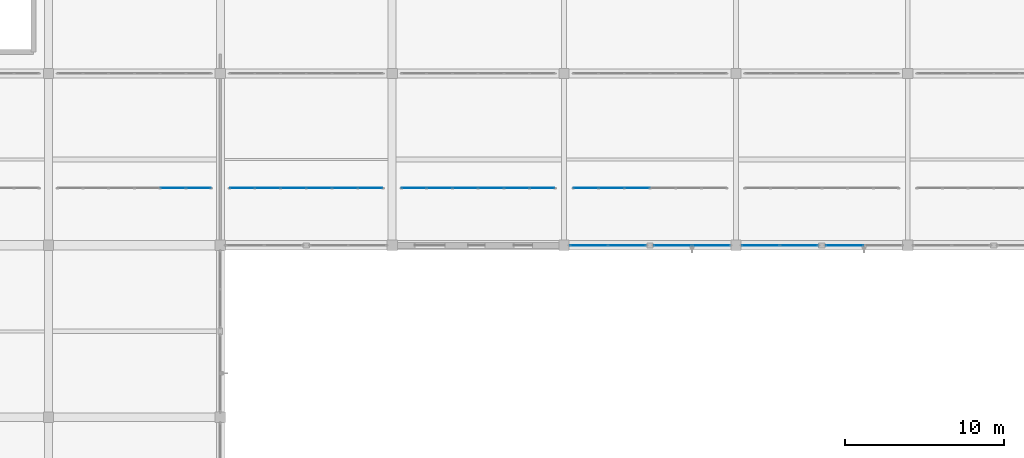
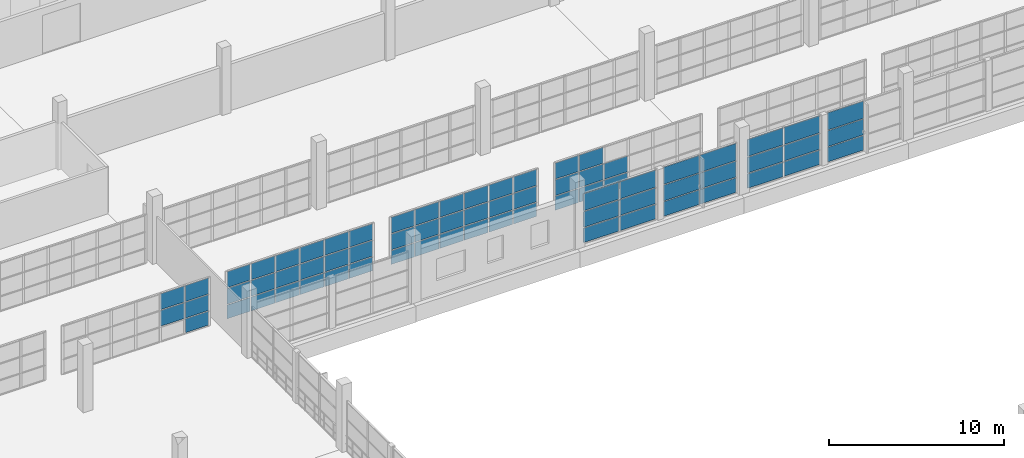
# One storey, part 92 of 142: 70 plates, 8 elements without a shape of their own.
"""IFC4 building model written with IfcOpenShell, lengths in metres."""

from ifc_helpers import new_model, si_unit, direction, frame, origin, origin_2d, place, context, subcontext, project, spatial, rectangle, extrude, material, layer, layer_set, type_object, element, aggregate, save


model = new_model("IFC4")

# Units and contexts
model_context = context("Model", 3, precision=1e-05, world=origin(), true_north=direction((0.0, 1.0)))
body_context = subcontext(model_context, "Body", "Model", "MODEL_VIEW")
ifc_project = project(units=[si_unit("LENGTHUNIT", "METRE"), si_unit("AREAUNIT", "SQUARE_METRE"), si_unit("VOLUMEUNIT", "CUBIC_METRE"), si_unit("PLANEANGLEUNIT", "RADIAN"), si_unit("MASSUNIT", "GRAM", prefix="KILO")], contexts=[model_context])

# Site, building, storey
site_placement = place(None, origin())
site = spatial("IfcSite", under=ifc_project, at=site_placement, CompositionType="ELEMENT")
building_placement = place(site_placement, origin())
building = spatial("IfcBuilding", under=site, at=building_placement, Name="Zwinboog Wholesale Market", CompositionType="ELEMENT")
storey_placement = place(building_placement, frame((0.0, 0.0, 5.39990234375)))
storey = spatial("IfcBuildingStorey", under=building, at=storey_placement, Name="L01", CompositionType="ELEMENT", Elevation=5.39990234375)

# Curtain wall, plates
ifc_material_1 = material(Name="Aluminium thermally broken curtain wall", Category="aluminium")
curtain_wall_type_1 = type_object("IfcCurtainWallType", Name="CWT-CAFE-22", PredefinedType="USERDEFINED", material=ifc_material_1)
curtain_wall_1_placement = place(storey_placement, origin())
curtain_wall_1 = element("IfcCurtainWall", 1, at=curtain_wall_1_placement, inside=storey, type_object=curtain_wall_type_1, Name="CW-05 (CW-L01-107)", ObjectType="STOREFRONT_GLAZING", PredefinedType="USERDEFINED")
ifc_material_2 = material(Name="Triple solar-control insulated glazing", Category="glass")
ifc_layer_1 = layer(ifc_material_2, 0.0380859375)
ifc_layer_set_1 = layer_set([ifc_layer_1], Name="Triple solar-control insulated glazing")
plate_type_1 = type_object("IfcPlateType", Name="CWP-IGU-38", PredefinedType="CURTAIN_PANEL", material=ifc_layer_set_1)
plate_1_placement = place(storey_placement, frame((109.55615234375, 86.39990234375, 0.065185546875), z_axis=(0.0, 0.0, 1.0), x_axis=(1.0, 0.0, 0.0)))
plate_1 = element("IfcPlate", 2, at=plate_1_placement, type_object=plate_type_1, Name="CW-05 panel 1.1", PredefinedType="CURTAIN_PANEL", context=body_context, shape_type="SweptSolid", body=[
    extrude(rectangle(XDim=2.342529296875, YDim=0.0380859375, at=origin_2d()), origin(), (0.0, 0.0, 1.0), 1.00244140625),
])
plate_2_placement = place(storey_placement, frame((109.55615234375, 86.39990234375, 1.132568359375), z_axis=(0.0, 0.0, 1.0), x_axis=(1.0, 0.0, 0.0)))
plate_2 = element("IfcPlate", 3, at=plate_2_placement, type_object=plate_type_1, Name="CW-05 panel 1.2", PredefinedType="CURTAIN_PANEL", context=body_context, shape_type="SweptSolid", body=[
    extrude(rectangle(XDim=2.342529296875, YDim=0.0380859375, at=origin_2d()), origin(), (0.0, 0.0, 1.0), 1.0849609375),
])
plate_3_placement = place(storey_placement, frame((109.55615234375, 86.39990234375, 2.282470703125), z_axis=(0.0, 0.0, 1.0), x_axis=(1.0, 0.0, 0.0)))
plate_3 = element("IfcPlate", 4, at=plate_3_placement, type_object=plate_type_1, Name="CW-05 panel 1.3", PredefinedType="CURTAIN_PANEL", context=body_context, shape_type="SweptSolid", body=[
    extrude(rectangle(XDim=2.342529296875, YDim=0.0380859375, at=origin_2d()), origin(), (0.0, 0.0, 1.0), 1.1826171875),
])
plate_4_placement = place(storey_placement, frame((111.9638671875, 86.39990234375, 0.065185546875), z_axis=(0.0, 0.0, 1.0), x_axis=(1.0, 0.0, 0.0)))
plate_4 = element("IfcPlate", 5, at=plate_4_placement, type_object=plate_type_1, Name="CW-05 panel 2.1", PredefinedType="CURTAIN_PANEL", context=body_context, shape_type="SweptSolid", body=[
    extrude(rectangle(XDim=2.342529296875, YDim=0.0380859375, at=origin_2d()), origin(), (0.0, 0.0, 1.0), 1.00244140625),
])
plate_5_placement = place(storey_placement, frame((111.9638671875, 86.39990234375, 1.132568359375), z_axis=(0.0, 0.0, 1.0), x_axis=(1.0, 0.0, 0.0)))
plate_5 = element("IfcPlate", 6, at=plate_5_placement, type_object=plate_type_1, Name="CW-05 panel 2.2", PredefinedType="CURTAIN_PANEL", context=body_context, shape_type="SweptSolid", body=[
    extrude(rectangle(XDim=2.342529296875, YDim=0.0380859375, at=origin_2d()), origin(), (0.0, 0.0, 1.0), 1.0849609375),
])
plate_6_placement = place(storey_placement, frame((111.9638671875, 86.39990234375, 2.282470703125), z_axis=(0.0, 0.0, 1.0), x_axis=(1.0, 0.0, 0.0)))
plate_6 = element("IfcPlate", 7, at=plate_6_placement, type_object=plate_type_1, Name="CW-05 panel 2.3", PredefinedType="CURTAIN_PANEL", context=body_context, shape_type="SweptSolid", body=[
    extrude(rectangle(XDim=2.342529296875, YDim=0.0380859375, at=origin_2d()), origin(), (0.0, 0.0, 1.0), 1.1826171875),
])
aggregate(curtain_wall_1, [plate_1, plate_2, plate_3, plate_4, plate_5, plate_6])

curtain_wall_type_2 = type_object("IfcCurtainWallType", Name="CWT-OFF-15", PredefinedType="USERDEFINED", material=ifc_material_1)
curtain_wall_2_placement = place(storey_placement, origin())
curtain_wall_2 = element("IfcCurtainWall", 8, at=curtain_wall_2_placement, inside=storey, type_object=curtain_wall_type_2, Name="CW-06 (CW-L01-108)", ObjectType="UNITIZED_CURTAIN_WALL", PredefinedType="USERDEFINED")
plate_7_placement = place(storey_placement, frame((114.8349609375, 86.39990234375, 0.06005859375), z_axis=(0.0, 0.0, 1.0), x_axis=(1.0, 0.0, 0.0)))
plate_7 = element("IfcPlate", 9, at=plate_7_placement, type_object=plate_type_1, Name="CW-06 panel 1.1", PredefinedType="CURTAIN_PANEL", context=body_context, shape_type="SweptSolid", body=[
    extrude(rectangle(XDim=2.35009765625, YDim=0.0380859375, at=origin_2d()), origin(), (0.0, 0.0, 1.0), 1.010009765625),
])
plate_8_placement = place(storey_placement, frame((114.8349609375, 86.39990234375, 1.1298828125), z_axis=(0.0, 0.0, 1.0), x_axis=(1.0, 0.0, 0.0)))
plate_8 = element("IfcPlate", 10, at=plate_8_placement, type_object=plate_type_1, Name="CW-06 panel 1.2", PredefinedType="CURTAIN_PANEL", context=body_context, shape_type="SweptSolid", body=[
    extrude(rectangle(XDim=2.35009765625, YDim=0.0380859375, at=origin_2d()), origin(), (0.0, 0.0, 1.0), 1.090087890625),
])
plate_9_placement = place(storey_placement, frame((114.8349609375, 86.39990234375, 2.280029296875), z_axis=(0.0, 0.0, 1.0), x_axis=(1.0, 0.0, 0.0)))
plate_9 = element("IfcPlate", 11, at=plate_9_placement, type_object=plate_type_1, Name="CW-06 panel 1.3", PredefinedType="CURTAIN_PANEL", context=body_context, shape_type="SweptSolid", body=[
    extrude(rectangle(XDim=2.35009765625, YDim=0.0380859375, at=origin_2d()), origin(), (0.0, 0.0, 1.0), 1.18994140625),
])
plate_10_placement = place(storey_placement, frame((117.2451171875, 86.39990234375, 0.06005859375), z_axis=(0.0, 0.0, 1.0), x_axis=(1.0, 0.0, 0.0)))
plate_10 = element("IfcPlate", 12, at=plate_10_placement, type_object=plate_type_1, Name="CW-06 panel 2.1", PredefinedType="CURTAIN_PANEL", context=body_context, shape_type="SweptSolid", body=[
    extrude(rectangle(XDim=2.35009765625, YDim=0.0380859375, at=origin_2d()), origin(), (0.0, 0.0, 1.0), 1.010009765625),
])
plate_11_placement = place(storey_placement, frame((117.2451171875, 86.39990234375, 1.1298828125), z_axis=(0.0, 0.0, 1.0), x_axis=(1.0, 0.0, 0.0)))
plate_11 = element("IfcPlate", 13, at=plate_11_placement, type_object=plate_type_1, Name="CW-06 panel 2.2", PredefinedType="CURTAIN_PANEL", context=body_context, shape_type="SweptSolid", body=[
    extrude(rectangle(XDim=2.35009765625, YDim=0.0380859375, at=origin_2d()), origin(), (0.0, 0.0, 1.0), 1.090087890625),
])
plate_12_placement = place(storey_placement, frame((117.2451171875, 86.39990234375, 2.280029296875), z_axis=(0.0, 0.0, 1.0), x_axis=(1.0, 0.0, 0.0)))
plate_12 = element("IfcPlate", 14, at=plate_12_placement, type_object=plate_type_1, Name="CW-06 panel 2.3", PredefinedType="CURTAIN_PANEL", context=body_context, shape_type="SweptSolid", body=[
    extrude(rectangle(XDim=2.35009765625, YDim=0.0380859375, at=origin_2d()), origin(), (0.0, 0.0, 1.0), 1.18994140625),
])
aggregate(curtain_wall_2, [plate_7, plate_8, plate_9, plate_10, plate_11, plate_12])

curtain_wall_3_placement = place(storey_placement, origin())
curtain_wall_3 = element("IfcCurtainWall", 15, at=curtain_wall_3_placement, inside=storey, type_object=curtain_wall_type_1, Name="CW-05 (CW-L01-113)", ObjectType="STOREFRONT_GLAZING", PredefinedType="USERDEFINED")
plate_13_placement = place(storey_placement, frame((120.356201171875, 86.39990234375, 0.065185546875), z_axis=(0.0, 0.0, 1.0), x_axis=(1.0, 0.0, 0.0)))
plate_13 = element("IfcPlate", 16, at=plate_13_placement, type_object=plate_type_1, Name="CW-05 panel 1.1", PredefinedType="CURTAIN_PANEL", context=body_context, shape_type="SweptSolid", body=[
    extrude(rectangle(XDim=2.342529296875, YDim=0.0380859375, at=origin_2d()), origin(), (0.0, 0.0, 1.0), 1.00244140625),
])
plate_14_placement = place(storey_placement, frame((120.356201171875, 86.39990234375, 1.132568359375), z_axis=(0.0, 0.0, 1.0), x_axis=(1.0, 0.0, 0.0)))
plate_14 = element("IfcPlate", 17, at=plate_14_placement, type_object=plate_type_1, Name="CW-05 panel 1.2", PredefinedType="CURTAIN_PANEL", context=body_context, shape_type="SweptSolid", body=[
    extrude(rectangle(XDim=2.342529296875, YDim=0.0380859375, at=origin_2d()), origin(), (0.0, 0.0, 1.0), 1.0849609375),
])
plate_15_placement = place(storey_placement, frame((120.356201171875, 86.39990234375, 2.282470703125), z_axis=(0.0, 0.0, 1.0), x_axis=(1.0, 0.0, 0.0)))
plate_15 = element("IfcPlate", 18, at=plate_15_placement, type_object=plate_type_1, Name="CW-05 panel 1.3", PredefinedType="CURTAIN_PANEL", context=body_context, shape_type="SweptSolid", body=[
    extrude(rectangle(XDim=2.342529296875, YDim=0.0380859375, at=origin_2d()), origin(), (0.0, 0.0, 1.0), 1.1826171875),
])
plate_16_placement = place(storey_placement, frame((122.763671875, 86.39990234375, 0.065185546875), z_axis=(0.0, 0.0, 1.0), x_axis=(1.0, 0.0, 0.0)))
plate_16 = element("IfcPlate", 19, at=plate_16_placement, type_object=plate_type_1, Name="CW-05 panel 2.1", PredefinedType="CURTAIN_PANEL", context=body_context, shape_type="SweptSolid", body=[
    extrude(rectangle(XDim=2.342529296875, YDim=0.0380859375, at=origin_2d()), origin(), (0.0, 0.0, 1.0), 1.00244140625),
])
plate_17_placement = place(storey_placement, frame((122.763671875, 86.39990234375, 1.132568359375), z_axis=(0.0, 0.0, 1.0), x_axis=(1.0, 0.0, 0.0)))
plate_17 = element("IfcPlate", 20, at=plate_17_placement, type_object=plate_type_1, Name="CW-05 panel 2.2", PredefinedType="CURTAIN_PANEL", context=body_context, shape_type="SweptSolid", body=[
    extrude(rectangle(XDim=2.342529296875, YDim=0.0380859375, at=origin_2d()), origin(), (0.0, 0.0, 1.0), 1.0849609375),
])
plate_18_placement = place(storey_placement, frame((122.763671875, 86.39990234375, 2.282470703125), z_axis=(0.0, 0.0, 1.0), x_axis=(1.0, 0.0, 0.0)))
plate_18 = element("IfcPlate", 21, at=plate_18_placement, type_object=plate_type_1, Name="CW-05 panel 2.3", PredefinedType="CURTAIN_PANEL", context=body_context, shape_type="SweptSolid", body=[
    extrude(rectangle(XDim=2.342529296875, YDim=0.0380859375, at=origin_2d()), origin(), (0.0, 0.0, 1.0), 1.1826171875),
])
aggregate(curtain_wall_3, [plate_13, plate_14, plate_15, plate_16, plate_17, plate_18])

curtain_wall_4_placement = place(storey_placement, origin())
curtain_wall_4 = element("IfcCurtainWall", 22, at=curtain_wall_4_placement, inside=storey, type_object=curtain_wall_type_2, Name="CW-06 (CW-L01-114)", ObjectType="UNITIZED_CURTAIN_WALL", PredefinedType="USERDEFINED")
plate_19_placement = place(storey_placement, frame((125.635009765625, 86.39990234375, 0.06005859375), z_axis=(0.0, 0.0, 1.0), x_axis=(1.0, 0.0, 0.0)))
plate_19 = element("IfcPlate", 23, at=plate_19_placement, type_object=plate_type_1, Name="CW-06 panel 1.1", PredefinedType="CURTAIN_PANEL", context=body_context, shape_type="SweptSolid", body=[
    extrude(rectangle(XDim=2.35009765625, YDim=0.0380859375, at=origin_2d()), origin(), (0.0, 0.0, 1.0), 1.010009765625),
])
plate_20_placement = place(storey_placement, frame((125.635009765625, 86.39990234375, 1.1298828125), z_axis=(0.0, 0.0, 1.0), x_axis=(1.0, 0.0, 0.0)))
plate_20 = element("IfcPlate", 24, at=plate_20_placement, type_object=plate_type_1, Name="CW-06 panel 1.2", PredefinedType="CURTAIN_PANEL", context=body_context, shape_type="SweptSolid", body=[
    extrude(rectangle(XDim=2.35009765625, YDim=0.0380859375, at=origin_2d()), origin(), (0.0, 0.0, 1.0), 1.090087890625),
])
plate_21_placement = place(storey_placement, frame((125.635009765625, 86.39990234375, 2.280029296875), z_axis=(0.0, 0.0, 1.0), x_axis=(1.0, 0.0, 0.0)))
plate_21 = element("IfcPlate", 25, at=plate_21_placement, type_object=plate_type_1, Name="CW-06 panel 1.3", PredefinedType="CURTAIN_PANEL", context=body_context, shape_type="SweptSolid", body=[
    extrude(rectangle(XDim=2.35009765625, YDim=0.0380859375, at=origin_2d()), origin(), (0.0, 0.0, 1.0), 1.18994140625),
])
aggregate(curtain_wall_4, [plate_19, plate_20, plate_21])

curtain_wall_type_3 = type_object("IfcCurtainWallType", Name="CWT-INT-STALL", PredefinedType="USERDEFINED", material=ifc_material_1)
curtain_wall_5_placement = place(storey_placement, origin())
curtain_wall_5 = element("IfcCurtainWall", 26, at=curtain_wall_5_placement, inside=storey, type_object=curtain_wall_type_3, Name="CW-07 (CW-STL-236)", ObjectType="STOREFRONT_GLAZING", PredefinedType="USERDEFINED")
ifc_material_3 = material(Name="Tempered laminated market stall glazing", Category="glass")
ifc_layer_2 = layer(ifc_material_3, 0.01611328125)
ifc_layer_set_2 = layer_set([ifc_layer_2], Name="Tempered laminated market stall glazing")
plate_type_2 = type_object("IfcPlateType", Name="CWP-INT-16", PredefinedType="CURTAIN_PANEL", material=ifc_layer_set_2)
plate_22_placement = place(storey_placement, frame((83.425048828125, 90.0, 1.080078125), z_axis=(0.0, 0.0, 1.0), x_axis=(1.0, 0.0, 0.0)))
plate_22 = element("IfcPlate", 27, at=plate_22_placement, type_object=plate_type_2, Name="CW-07 panel 5.2", PredefinedType="CURTAIN_PANEL", context=body_context, shape_type="SweptSolid", body=[
    extrude(rectangle(XDim=1.556640625, YDim=0.01611328125, at=origin_2d()), origin(), (0.0, 0.0, 1.0), 1.090087890625),
])
plate_23_placement = place(storey_placement, frame((83.425048828125, 90.0, 2.22998046875), z_axis=(0.0, 0.0, 1.0), x_axis=(1.0, 0.0, 0.0)))
plate_23 = element("IfcPlate", 28, at=plate_23_placement, type_object=plate_type_2, Name="CW-07 panel 5.3", PredefinedType="CURTAIN_PANEL", context=body_context, shape_type="SweptSolid", body=[
    extrude(rectangle(XDim=1.556640625, YDim=0.01611328125, at=origin_2d()), origin(), (0.0, 0.0, 1.0), 1.110107421875),
])
plate_24_placement = place(storey_placement, frame((85.026611328125, 90.0, 0.06005859375), z_axis=(0.0, 0.0, 1.0), x_axis=(1.0, 0.0, 0.0)))
plate_24 = element("IfcPlate", 29, at=plate_24_placement, type_object=plate_type_2, Name="CW-07 panel 6.1", PredefinedType="CURTAIN_PANEL", context=body_context, shape_type="SweptSolid", body=[
    extrude(rectangle(XDim=1.526611328125, YDim=0.01611328125, at=origin_2d()), origin(), (0.0, 0.0, 1.0), 0.9599609375),
])
plate_25_placement = place(storey_placement, frame((85.026611328125, 90.0, 1.080078125), z_axis=(0.0, 0.0, 1.0), x_axis=(1.0, 0.0, 0.0)))
plate_25 = element("IfcPlate", 30, at=plate_25_placement, type_object=plate_type_2, Name="CW-07 panel 6.2", PredefinedType="CURTAIN_PANEL", context=body_context, shape_type="SweptSolid", body=[
    extrude(rectangle(XDim=1.526611328125, YDim=0.01611328125, at=origin_2d()), origin(), (0.0, 0.0, 1.0), 1.090087890625),
])
plate_26_placement = place(storey_placement, frame((85.026611328125, 90.0, 2.22998046875), z_axis=(0.0, 0.0, 1.0), x_axis=(1.0, 0.0, 0.0)))
plate_26 = element("IfcPlate", 31, at=plate_26_placement, type_object=plate_type_2, Name="CW-07 panel 6.3", PredefinedType="CURTAIN_PANEL", context=body_context, shape_type="SweptSolid", body=[
    extrude(rectangle(XDim=1.526611328125, YDim=0.01611328125, at=origin_2d()), origin(), (0.0, 0.0, 1.0), 1.110107421875),
])
aggregate(curtain_wall_5, [plate_22, plate_23, plate_24, plate_25, plate_26])

curtain_wall_6_placement = place(storey_placement, origin())
curtain_wall_6 = element("IfcCurtainWall", 32, at=curtain_wall_6_placement, inside=storey, type_object=curtain_wall_type_3, Name="CW-07 (CW-STL-237)", ObjectType="STOREFRONT_GLAZING", PredefinedType="USERDEFINED")
plate_27_placement = place(storey_placement, frame((87.7734375, 90.0, 0.06005859375), z_axis=(0.0, 0.0, 1.0), x_axis=(1.0, 0.0, 0.0)))
plate_27 = element("IfcPlate", 33, at=plate_27_placement, type_object=plate_type_2, Name="CW-07 panel 1.1", PredefinedType="CURTAIN_PANEL", context=body_context, shape_type="SweptSolid", body=[
    extrude(rectangle(XDim=1.526611328125, YDim=0.01611328125, at=origin_2d()), origin(), (0.0, 0.0, 1.0), 0.9599609375),
])
plate_28_placement = place(storey_placement, frame((87.7734375, 90.0, 1.080078125), z_axis=(0.0, 0.0, 1.0), x_axis=(1.0, 0.0, 0.0)))
plate_28 = element("IfcPlate", 34, at=plate_28_placement, type_object=plate_type_2, Name="CW-07 panel 1.2", PredefinedType="CURTAIN_PANEL", context=body_context, shape_type="SweptSolid", body=[
    extrude(rectangle(XDim=1.526611328125, YDim=0.01611328125, at=origin_2d()), origin(), (0.0, 0.0, 1.0), 1.090087890625),
])
plate_29_placement = place(storey_placement, frame((87.7734375, 90.0, 2.22998046875), z_axis=(0.0, 0.0, 1.0), x_axis=(1.0, 0.0, 0.0)))
plate_29 = element("IfcPlate", 35, at=plate_29_placement, type_object=plate_type_2, Name="CW-07 panel 1.3", PredefinedType="CURTAIN_PANEL", context=body_context, shape_type="SweptSolid", body=[
    extrude(rectangle(XDim=1.526611328125, YDim=0.01611328125, at=origin_2d()), origin(), (0.0, 0.0, 1.0), 1.110107421875),
])
plate_30_placement = place(storey_placement, frame((89.375, 90.0, 0.06005859375), z_axis=(0.0, 0.0, 1.0), x_axis=(1.0, 0.0, 0.0)))
plate_30 = element("IfcPlate", 36, at=plate_30_placement, type_object=plate_type_2, Name="CW-07 panel 2.1", PredefinedType="CURTAIN_PANEL", context=body_context, shape_type="SweptSolid", body=[
    extrude(rectangle(XDim=1.556640625, YDim=0.01611328125, at=origin_2d()), origin(), (0.0, 0.0, 1.0), 0.9599609375),
])
plate_31_placement = place(storey_placement, frame((89.375, 90.0, 1.080078125), z_axis=(0.0, 0.0, 1.0), x_axis=(1.0, 0.0, 0.0)))
plate_31 = element("IfcPlate", 37, at=plate_31_placement, type_object=plate_type_2, Name="CW-07 panel 2.2", PredefinedType="CURTAIN_PANEL", context=body_context, shape_type="SweptSolid", body=[
    extrude(rectangle(XDim=1.556640625, YDim=0.01611328125, at=origin_2d()), origin(), (0.0, 0.0, 1.0), 1.090087890625),
])
plate_32_placement = place(storey_placement, frame((89.375, 90.0, 2.22998046875), z_axis=(0.0, 0.0, 1.0), x_axis=(1.0, 0.0, 0.0)))
plate_32 = element("IfcPlate", 38, at=plate_32_placement, type_object=plate_type_2, Name="CW-07 panel 2.3", PredefinedType="CURTAIN_PANEL", context=body_context, shape_type="SweptSolid", body=[
    extrude(rectangle(XDim=1.556640625, YDim=0.01611328125, at=origin_2d()), origin(), (0.0, 0.0, 1.0), 1.110107421875),
])
plate_33_placement = place(storey_placement, frame((90.99169921875, 90.0, 0.06005859375), z_axis=(0.0, 0.0, 1.0), x_axis=(1.0, 0.0, 0.0)))
plate_33 = element("IfcPlate", 39, at=plate_33_placement, type_object=plate_type_2, Name="CW-07 panel 3.1", PredefinedType="CURTAIN_PANEL", context=body_context, shape_type="SweptSolid", body=[
    extrude(rectangle(XDim=1.556640625, YDim=0.01611328125, at=origin_2d()), origin(), (0.0, 0.0, 1.0), 0.9599609375),
])
plate_34_placement = place(storey_placement, frame((90.99169921875, 90.0, 1.080078125), z_axis=(0.0, 0.0, 1.0), x_axis=(1.0, 0.0, 0.0)))
plate_34 = element("IfcPlate", 40, at=plate_34_placement, type_object=plate_type_2, Name="CW-07 panel 3.2", PredefinedType="CURTAIN_PANEL", context=body_context, shape_type="SweptSolid", body=[
    extrude(rectangle(XDim=1.556640625, YDim=0.01611328125, at=origin_2d()), origin(), (0.0, 0.0, 1.0), 1.090087890625),
])
plate_35_placement = place(storey_placement, frame((90.99169921875, 90.0, 2.22998046875), z_axis=(0.0, 0.0, 1.0), x_axis=(1.0, 0.0, 0.0)))
plate_35 = element("IfcPlate", 41, at=plate_35_placement, type_object=plate_type_2, Name="CW-07 panel 3.3", PredefinedType="CURTAIN_PANEL", context=body_context, shape_type="SweptSolid", body=[
    extrude(rectangle(XDim=1.556640625, YDim=0.01611328125, at=origin_2d()), origin(), (0.0, 0.0, 1.0), 1.110107421875),
])
plate_36_placement = place(storey_placement, frame((92.6083984375, 90.0, 0.06005859375), z_axis=(0.0, 0.0, 1.0), x_axis=(1.0, 0.0, 0.0)))
plate_36 = element("IfcPlate", 42, at=plate_36_placement, type_object=plate_type_2, Name="CW-07 panel 4.1", PredefinedType="CURTAIN_PANEL", context=body_context, shape_type="SweptSolid", body=[
    extrude(rectangle(XDim=1.556640625, YDim=0.01611328125, at=origin_2d()), origin(), (0.0, 0.0, 1.0), 0.9599609375),
])
plate_37_placement = place(storey_placement, frame((92.6083984375, 90.0, 1.080078125), z_axis=(0.0, 0.0, 1.0), x_axis=(1.0, 0.0, 0.0)))
plate_37 = element("IfcPlate", 43, at=plate_37_placement, type_object=plate_type_2, Name="CW-07 panel 4.2", PredefinedType="CURTAIN_PANEL", context=body_context, shape_type="SweptSolid", body=[
    extrude(rectangle(XDim=1.556640625, YDim=0.01611328125, at=origin_2d()), origin(), (0.0, 0.0, 1.0), 1.090087890625),
])
plate_38_placement = place(storey_placement, frame((92.6083984375, 90.0, 2.22998046875), z_axis=(0.0, 0.0, 1.0), x_axis=(1.0, 0.0, 0.0)))
plate_38 = element("IfcPlate", 44, at=plate_38_placement, type_object=plate_type_2, Name="CW-07 panel 4.3", PredefinedType="CURTAIN_PANEL", context=body_context, shape_type="SweptSolid", body=[
    extrude(rectangle(XDim=1.556640625, YDim=0.01611328125, at=origin_2d()), origin(), (0.0, 0.0, 1.0), 1.110107421875),
])
plate_39_placement = place(storey_placement, frame((94.22509765625, 90.0, 0.06005859375), z_axis=(0.0, 0.0, 1.0), x_axis=(1.0, 0.0, 0.0)))
plate_39 = element("IfcPlate", 45, at=plate_39_placement, type_object=plate_type_2, Name="CW-07 panel 5.1", PredefinedType="CURTAIN_PANEL", context=body_context, shape_type="SweptSolid", body=[
    extrude(rectangle(XDim=1.556640625, YDim=0.01611328125, at=origin_2d()), origin(), (0.0, 0.0, 1.0), 0.9599609375),
])
plate_40_placement = place(storey_placement, frame((94.22509765625, 90.0, 1.080078125), z_axis=(0.0, 0.0, 1.0), x_axis=(1.0, 0.0, 0.0)))
plate_40 = element("IfcPlate", 46, at=plate_40_placement, type_object=plate_type_2, Name="CW-07 panel 5.2", PredefinedType="CURTAIN_PANEL", context=body_context, shape_type="SweptSolid", body=[
    extrude(rectangle(XDim=1.556640625, YDim=0.01611328125, at=origin_2d()), origin(), (0.0, 0.0, 1.0), 1.090087890625),
])
plate_41_placement = place(storey_placement, frame((94.22509765625, 90.0, 2.22998046875), z_axis=(0.0, 0.0, 1.0), x_axis=(1.0, 0.0, 0.0)))
plate_41 = element("IfcPlate", 47, at=plate_41_placement, type_object=plate_type_2, Name="CW-07 panel 5.3", PredefinedType="CURTAIN_PANEL", context=body_context, shape_type="SweptSolid", body=[
    extrude(rectangle(XDim=1.556640625, YDim=0.01611328125, at=origin_2d()), origin(), (0.0, 0.0, 1.0), 1.110107421875),
])
plate_42_placement = place(storey_placement, frame((95.82666015625, 90.0, 0.06005859375), z_axis=(0.0, 0.0, 1.0), x_axis=(1.0, 0.0, 0.0)))
plate_42 = element("IfcPlate", 48, at=plate_42_placement, type_object=plate_type_2, Name="CW-07 panel 6.1", PredefinedType="CURTAIN_PANEL", context=body_context, shape_type="SweptSolid", body=[
    extrude(rectangle(XDim=1.526611328125, YDim=0.01611328125, at=origin_2d()), origin(), (0.0, 0.0, 1.0), 0.9599609375),
])
plate_43_placement = place(storey_placement, frame((95.82666015625, 90.0, 1.080078125), z_axis=(0.0, 0.0, 1.0), x_axis=(1.0, 0.0, 0.0)))
plate_43 = element("IfcPlate", 49, at=plate_43_placement, type_object=plate_type_2, Name="CW-07 panel 6.2", PredefinedType="CURTAIN_PANEL", context=body_context, shape_type="SweptSolid", body=[
    extrude(rectangle(XDim=1.526611328125, YDim=0.01611328125, at=origin_2d()), origin(), (0.0, 0.0, 1.0), 1.090087890625),
])
plate_44_placement = place(storey_placement, frame((95.82666015625, 90.0, 2.22998046875), z_axis=(0.0, 0.0, 1.0), x_axis=(1.0, 0.0, 0.0)))
plate_44 = element("IfcPlate", 50, at=plate_44_placement, type_object=plate_type_2, Name="CW-07 panel 6.3", PredefinedType="CURTAIN_PANEL", context=body_context, shape_type="SweptSolid", body=[
    extrude(rectangle(XDim=1.526611328125, YDim=0.01611328125, at=origin_2d()), origin(), (0.0, 0.0, 1.0), 1.110107421875),
])
aggregate(curtain_wall_6, [plate_27, plate_28, plate_29, plate_30, plate_31, plate_32, plate_33, plate_34, plate_35, plate_36, plate_37, plate_38, plate_39, plate_40, plate_41, plate_42, plate_43, plate_44])

curtain_wall_7_placement = place(storey_placement, origin())
curtain_wall_7 = element("IfcCurtainWall", 51, at=curtain_wall_7_placement, inside=storey, type_object=curtain_wall_type_3, Name="CW-07 (CW-STL-238)", ObjectType="STOREFRONT_GLAZING", PredefinedType="USERDEFINED")
plate_45_placement = place(storey_placement, frame((98.5732421875, 90.0, 0.06005859375), z_axis=(0.0, 0.0, 1.0), x_axis=(1.0, 0.0, 0.0)))
plate_45 = element("IfcPlate", 52, at=plate_45_placement, type_object=plate_type_2, Name="CW-07 panel 1.1", PredefinedType="CURTAIN_PANEL", context=body_context, shape_type="SweptSolid", body=[
    extrude(rectangle(XDim=1.526611328125, YDim=0.01611328125, at=origin_2d()), origin(), (0.0, 0.0, 1.0), 0.9599609375),
])
plate_46_placement = place(storey_placement, frame((98.5732421875, 90.0, 1.080078125), z_axis=(0.0, 0.0, 1.0), x_axis=(1.0, 0.0, 0.0)))
plate_46 = element("IfcPlate", 53, at=plate_46_placement, type_object=plate_type_2, Name="CW-07 panel 1.2", PredefinedType="CURTAIN_PANEL", context=body_context, shape_type="SweptSolid", body=[
    extrude(rectangle(XDim=1.526611328125, YDim=0.01611328125, at=origin_2d()), origin(), (0.0, 0.0, 1.0), 1.090087890625),
])
plate_47_placement = place(storey_placement, frame((98.5732421875, 90.0, 2.22998046875), z_axis=(0.0, 0.0, 1.0), x_axis=(1.0, 0.0, 0.0)))
plate_47 = element("IfcPlate", 54, at=plate_47_placement, type_object=plate_type_2, Name="CW-07 panel 1.3", PredefinedType="CURTAIN_PANEL", context=body_context, shape_type="SweptSolid", body=[
    extrude(rectangle(XDim=1.526611328125, YDim=0.01611328125, at=origin_2d()), origin(), (0.0, 0.0, 1.0), 1.110107421875),
])
plate_48_placement = place(storey_placement, frame((100.175048828125, 90.0, 0.06005859375), z_axis=(0.0, 0.0, 1.0), x_axis=(1.0, 0.0, 0.0)))
plate_48 = element("IfcPlate", 55, at=plate_48_placement, type_object=plate_type_2, Name="CW-07 panel 2.1", PredefinedType="CURTAIN_PANEL", context=body_context, shape_type="SweptSolid", body=[
    extrude(rectangle(XDim=1.556640625, YDim=0.01611328125, at=origin_2d()), origin(), (0.0, 0.0, 1.0), 0.9599609375),
])
plate_49_placement = place(storey_placement, frame((100.175048828125, 90.0, 1.080078125), z_axis=(0.0, 0.0, 1.0), x_axis=(1.0, 0.0, 0.0)))
plate_49 = element("IfcPlate", 56, at=plate_49_placement, type_object=plate_type_2, Name="CW-07 panel 2.2", PredefinedType="CURTAIN_PANEL", context=body_context, shape_type="SweptSolid", body=[
    extrude(rectangle(XDim=1.556640625, YDim=0.01611328125, at=origin_2d()), origin(), (0.0, 0.0, 1.0), 1.090087890625),
])
plate_50_placement = place(storey_placement, frame((100.175048828125, 90.0, 2.22998046875), z_axis=(0.0, 0.0, 1.0), x_axis=(1.0, 0.0, 0.0)))
plate_50 = element("IfcPlate", 57, at=plate_50_placement, type_object=plate_type_2, Name="CW-07 panel 2.3", PredefinedType="CURTAIN_PANEL", context=body_context, shape_type="SweptSolid", body=[
    extrude(rectangle(XDim=1.556640625, YDim=0.01611328125, at=origin_2d()), origin(), (0.0, 0.0, 1.0), 1.110107421875),
])
plate_51_placement = place(storey_placement, frame((101.791748046875, 90.0, 0.06005859375), z_axis=(0.0, 0.0, 1.0), x_axis=(1.0, 0.0, 0.0)))
plate_51 = element("IfcPlate", 58, at=plate_51_placement, type_object=plate_type_2, Name="CW-07 panel 3.1", PredefinedType="CURTAIN_PANEL", context=body_context, shape_type="SweptSolid", body=[
    extrude(rectangle(XDim=1.556640625, YDim=0.01611328125, at=origin_2d()), origin(), (0.0, 0.0, 1.0), 0.9599609375),
])
plate_52_placement = place(storey_placement, frame((101.791748046875, 90.0, 1.080078125), z_axis=(0.0, 0.0, 1.0), x_axis=(1.0, 0.0, 0.0)))
plate_52 = element("IfcPlate", 59, at=plate_52_placement, type_object=plate_type_2, Name="CW-07 panel 3.2", PredefinedType="CURTAIN_PANEL", context=body_context, shape_type="SweptSolid", body=[
    extrude(rectangle(XDim=1.556640625, YDim=0.01611328125, at=origin_2d()), origin(), (0.0, 0.0, 1.0), 1.090087890625),
])
plate_53_placement = place(storey_placement, frame((101.791748046875, 90.0, 2.22998046875), z_axis=(0.0, 0.0, 1.0), x_axis=(1.0, 0.0, 0.0)))
plate_53 = element("IfcPlate", 60, at=plate_53_placement, type_object=plate_type_2, Name="CW-07 panel 3.3", PredefinedType="CURTAIN_PANEL", context=body_context, shape_type="SweptSolid", body=[
    extrude(rectangle(XDim=1.556640625, YDim=0.01611328125, at=origin_2d()), origin(), (0.0, 0.0, 1.0), 1.110107421875),
])
plate_54_placement = place(storey_placement, frame((103.408447265625, 90.0, 0.06005859375), z_axis=(0.0, 0.0, 1.0), x_axis=(1.0, 0.0, 0.0)))
plate_54 = element("IfcPlate", 61, at=plate_54_placement, type_object=plate_type_2, Name="CW-07 panel 4.1", PredefinedType="CURTAIN_PANEL", context=body_context, shape_type="SweptSolid", body=[
    extrude(rectangle(XDim=1.556640625, YDim=0.01611328125, at=origin_2d()), origin(), (0.0, 0.0, 1.0), 0.9599609375),
])
plate_55_placement = place(storey_placement, frame((103.408447265625, 90.0, 1.080078125), z_axis=(0.0, 0.0, 1.0), x_axis=(1.0, 0.0, 0.0)))
plate_55 = element("IfcPlate", 62, at=plate_55_placement, type_object=plate_type_2, Name="CW-07 panel 4.2", PredefinedType="CURTAIN_PANEL", context=body_context, shape_type="SweptSolid", body=[
    extrude(rectangle(XDim=1.556640625, YDim=0.01611328125, at=origin_2d()), origin(), (0.0, 0.0, 1.0), 1.090087890625),
])
plate_56_placement = place(storey_placement, frame((103.408447265625, 90.0, 2.22998046875), z_axis=(0.0, 0.0, 1.0), x_axis=(1.0, 0.0, 0.0)))
plate_56 = element("IfcPlate", 63, at=plate_56_placement, type_object=plate_type_2, Name="CW-07 panel 4.3", PredefinedType="CURTAIN_PANEL", context=body_context, shape_type="SweptSolid", body=[
    extrude(rectangle(XDim=1.556640625, YDim=0.01611328125, at=origin_2d()), origin(), (0.0, 0.0, 1.0), 1.110107421875),
])
plate_57_placement = place(storey_placement, frame((105.02490234375, 90.0, 0.06005859375), z_axis=(0.0, 0.0, 1.0), x_axis=(1.0, 0.0, 0.0)))
plate_57 = element("IfcPlate", 64, at=plate_57_placement, type_object=plate_type_2, Name="CW-07 panel 5.1", PredefinedType="CURTAIN_PANEL", context=body_context, shape_type="SweptSolid", body=[
    extrude(rectangle(XDim=1.556640625, YDim=0.01611328125, at=origin_2d()), origin(), (0.0, 0.0, 1.0), 0.9599609375),
])
plate_58_placement = place(storey_placement, frame((105.02490234375, 90.0, 1.080078125), z_axis=(0.0, 0.0, 1.0), x_axis=(1.0, 0.0, 0.0)))
plate_58 = element("IfcPlate", 65, at=plate_58_placement, type_object=plate_type_2, Name="CW-07 panel 5.2", PredefinedType="CURTAIN_PANEL", context=body_context, shape_type="SweptSolid", body=[
    extrude(rectangle(XDim=1.556640625, YDim=0.01611328125, at=origin_2d()), origin(), (0.0, 0.0, 1.0), 1.090087890625),
])
plate_59_placement = place(storey_placement, frame((105.02490234375, 90.0, 2.22998046875), z_axis=(0.0, 0.0, 1.0), x_axis=(1.0, 0.0, 0.0)))
plate_59 = element("IfcPlate", 66, at=plate_59_placement, type_object=plate_type_2, Name="CW-07 panel 5.3", PredefinedType="CURTAIN_PANEL", context=body_context, shape_type="SweptSolid", body=[
    extrude(rectangle(XDim=1.556640625, YDim=0.01611328125, at=origin_2d()), origin(), (0.0, 0.0, 1.0), 1.110107421875),
])
plate_60_placement = place(storey_placement, frame((106.626708984375, 90.0, 0.06005859375), z_axis=(0.0, 0.0, 1.0), x_axis=(1.0, 0.0, 0.0)))
plate_60 = element("IfcPlate", 67, at=plate_60_placement, type_object=plate_type_2, Name="CW-07 panel 6.1", PredefinedType="CURTAIN_PANEL", context=body_context, shape_type="SweptSolid", body=[
    extrude(rectangle(XDim=1.526611328125, YDim=0.01611328125, at=origin_2d()), origin(), (0.0, 0.0, 1.0), 0.9599609375),
])
plate_61_placement = place(storey_placement, frame((106.626708984375, 90.0, 1.080078125), z_axis=(0.0, 0.0, 1.0), x_axis=(1.0, 0.0, 0.0)))
plate_61 = element("IfcPlate", 68, at=plate_61_placement, type_object=plate_type_2, Name="CW-07 panel 6.2", PredefinedType="CURTAIN_PANEL", context=body_context, shape_type="SweptSolid", body=[
    extrude(rectangle(XDim=1.526611328125, YDim=0.01611328125, at=origin_2d()), origin(), (0.0, 0.0, 1.0), 1.090087890625),
])
plate_62_placement = place(storey_placement, frame((106.626708984375, 90.0, 2.22998046875), z_axis=(0.0, 0.0, 1.0), x_axis=(1.0, 0.0, 0.0)))
plate_62 = element("IfcPlate", 69, at=plate_62_placement, type_object=plate_type_2, Name="CW-07 panel 6.3", PredefinedType="CURTAIN_PANEL", context=body_context, shape_type="SweptSolid", body=[
    extrude(rectangle(XDim=1.526611328125, YDim=0.01611328125, at=origin_2d()), origin(), (0.0, 0.0, 1.0), 1.110107421875),
])
aggregate(curtain_wall_7, [plate_45, plate_46, plate_47, plate_48, plate_49, plate_50, plate_51, plate_52, plate_53, plate_54, plate_55, plate_56, plate_57, plate_58, plate_59, plate_60, plate_61, plate_62])

curtain_wall_8_placement = place(storey_placement, origin())
curtain_wall_8 = element("IfcCurtainWall", 70, at=curtain_wall_8_placement, inside=storey, type_object=curtain_wall_type_3, Name="CW-07 (CW-STL-239)", ObjectType="STOREFRONT_GLAZING", PredefinedType="USERDEFINED")
plate_63_placement = place(storey_placement, frame((109.373291015625, 90.0, 0.06005859375), z_axis=(0.0, 0.0, 1.0), x_axis=(1.0, 0.0, 0.0)))
plate_63 = element("IfcPlate", 71, at=plate_63_placement, type_object=plate_type_2, Name="CW-07 panel 1.1", PredefinedType="CURTAIN_PANEL", context=body_context, shape_type="SweptSolid", body=[
    extrude(rectangle(XDim=1.526611328125, YDim=0.01611328125, at=origin_2d()), origin(), (0.0, 0.0, 1.0), 0.9599609375),
])
plate_64_placement = place(storey_placement, frame((109.373291015625, 90.0, 1.080078125), z_axis=(0.0, 0.0, 1.0), x_axis=(1.0, 0.0, 0.0)))
plate_64 = element("IfcPlate", 72, at=plate_64_placement, type_object=plate_type_2, Name="CW-07 panel 1.2", PredefinedType="CURTAIN_PANEL", context=body_context, shape_type="SweptSolid", body=[
    extrude(rectangle(XDim=1.526611328125, YDim=0.01611328125, at=origin_2d()), origin(), (0.0, 0.0, 1.0), 1.090087890625),
])
plate_65_placement = place(storey_placement, frame((109.373291015625, 90.0, 2.22998046875), z_axis=(0.0, 0.0, 1.0), x_axis=(1.0, 0.0, 0.0)))
plate_65 = element("IfcPlate", 73, at=plate_65_placement, type_object=plate_type_2, Name="CW-07 panel 1.3", PredefinedType="CURTAIN_PANEL", context=body_context, shape_type="SweptSolid", body=[
    extrude(rectangle(XDim=1.526611328125, YDim=0.01611328125, at=origin_2d()), origin(), (0.0, 0.0, 1.0), 1.110107421875),
])
plate_66_placement = place(storey_placement, frame((110.97509765625, 90.0, 0.06005859375), z_axis=(0.0, 0.0, 1.0), x_axis=(1.0, 0.0, 0.0)))
plate_66 = element("IfcPlate", 74, at=plate_66_placement, type_object=plate_type_2, Name="CW-07 panel 2.1", PredefinedType="CURTAIN_PANEL", context=body_context, shape_type="SweptSolid", body=[
    extrude(rectangle(XDim=1.556640625, YDim=0.01611328125, at=origin_2d()), origin(), (0.0, 0.0, 1.0), 0.9599609375),
])
plate_67_placement = place(storey_placement, frame((110.97509765625, 90.0, 1.080078125), z_axis=(0.0, 0.0, 1.0), x_axis=(1.0, 0.0, 0.0)))
plate_67 = element("IfcPlate", 75, at=plate_67_placement, type_object=plate_type_2, Name="CW-07 panel 2.2", PredefinedType="CURTAIN_PANEL", context=body_context, shape_type="SweptSolid", body=[
    extrude(rectangle(XDim=1.556640625, YDim=0.01611328125, at=origin_2d()), origin(), (0.0, 0.0, 1.0), 1.090087890625),
])
plate_68_placement = place(storey_placement, frame((110.97509765625, 90.0, 2.22998046875), z_axis=(0.0, 0.0, 1.0), x_axis=(1.0, 0.0, 0.0)))
plate_68 = element("IfcPlate", 76, at=plate_68_placement, type_object=plate_type_2, Name="CW-07 panel 2.3", PredefinedType="CURTAIN_PANEL", context=body_context, shape_type="SweptSolid", body=[
    extrude(rectangle(XDim=1.556640625, YDim=0.01611328125, at=origin_2d()), origin(), (0.0, 0.0, 1.0), 1.110107421875),
])
plate_69_placement = place(storey_placement, frame((112.591552734375, 90.0, 0.06005859375), z_axis=(0.0, 0.0, 1.0), x_axis=(1.0, 0.0, 0.0)))
plate_69 = element("IfcPlate", 77, at=plate_69_placement, type_object=plate_type_2, Name="CW-07 panel 3.1", PredefinedType="CURTAIN_PANEL", context=body_context, shape_type="SweptSolid", body=[
    extrude(rectangle(XDim=1.556640625, YDim=0.01611328125, at=origin_2d()), origin(), (0.0, 0.0, 1.0), 0.9599609375),
])
plate_70_placement = place(storey_placement, frame((112.591552734375, 90.0, 1.080078125), z_axis=(0.0, 0.0, 1.0), x_axis=(1.0, 0.0, 0.0)))
plate_70 = element("IfcPlate", 78, at=plate_70_placement, type_object=plate_type_2, Name="CW-07 panel 3.2", PredefinedType="CURTAIN_PANEL", context=body_context, shape_type="SweptSolid", body=[
    extrude(rectangle(XDim=1.556640625, YDim=0.01611328125, at=origin_2d()), origin(), (0.0, 0.0, 1.0), 1.090087890625),
])
aggregate(curtain_wall_8, [plate_63, plate_64, plate_65, plate_66, plate_67, plate_68, plate_69, plate_70])

save(model, "model.ifc")
